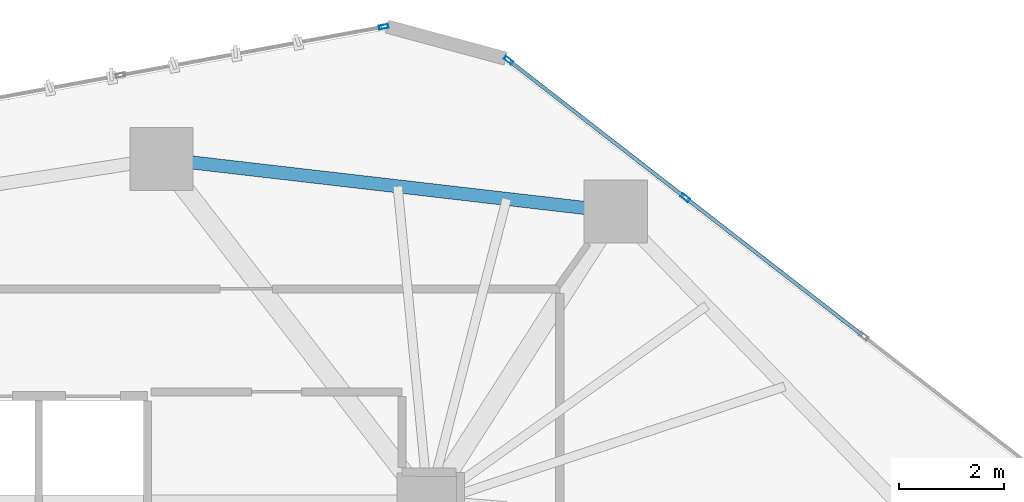
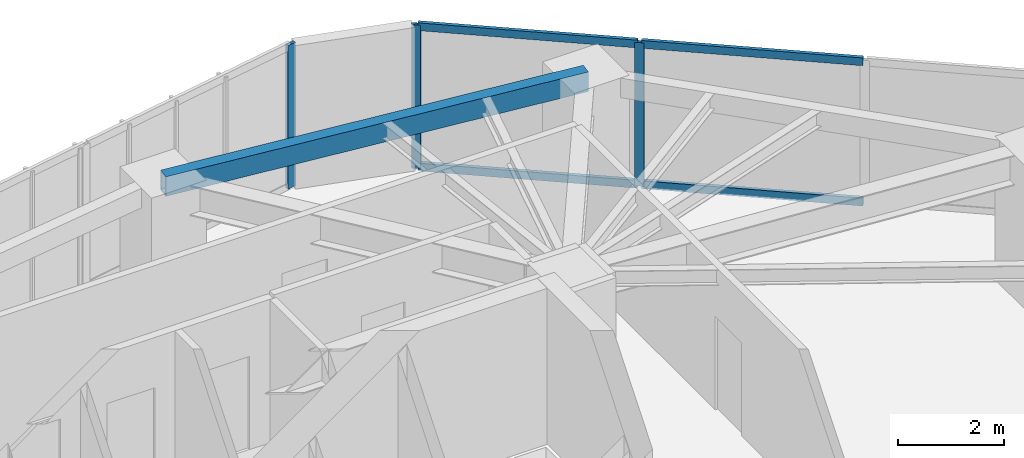
# One storey, part 15 of 22: 7 members, 1 beam, 2 elements without a shape of their own.
"""IFC4 building model written with IfcOpenShell, lengths in metres."""

import ifcopenshell
import ifcopenshell.guid

model = None  # the IFC model being written
_history = None  # IfcOwnerHistory: only IFC2X3 demands one
_inside = {}  # id of a spatial element -> (the spatial element, [elements in it])
_under = {}  # id of a project, library or spatial element -> (it, [spatial elements below it])
_declared = {}  # id of a project -> (the project, [libraries it declares])
_typed = {}  # id of a type object -> (the type object, [elements of that type])
_made_of = {}  # id of a material, layer set ... -> (it, [elements and type objects made of it])


def new_model(schema):
    """Start an empty IFC model of exactly this schema.

    Asked for "IFC4X3", IfcOpenShell would pick the latest addendum, in which some entities
    have other attributes; the version numbers below select the first issue.
    IFC2X3 requires an IfcOwnerHistory on every rooted entity: one is made here for all.
    """
    global model, _history
    if schema == "IFC4X3":
        model = ifcopenshell.file(schema_version=(4, 3, 0, 0))
    else:
        model = ifcopenshell.file(schema=schema)
    _inside.clear()
    _under.clear()
    _declared.clear()
    _typed.clear()
    _made_of.clear()
    _history = None
    if model.schema == "IFC2X3":
        org = make("IfcOrganization", Name="unknown")
        user = make(
            "IfcPersonAndOrganization",
            ThePerson=make("IfcPerson", FamilyName="unknown"),
            TheOrganization=org,
        )
        app = make(
            "IfcApplication",
            ApplicationDeveloper=org,
            Version="unknown",
            ApplicationFullName="unknown",
            ApplicationIdentifier="unknown",
        )
        _history = make(
            "IfcOwnerHistory",
            OwningUser=user,
            OwningApplication=app,
            ChangeAction="ADDED",
            CreationDate=0,
        )
    return model


def make(cls, **values):
    """One entity of the class cls with the attributes given. An attribute that is None is left unset."""
    return model.create_entity(
        cls, **{name: value for name, value in values.items() if value is not None}
    )


def rooted(cls, **values):
    """An entity with a GlobalId (a new one), such as an element, a storey or a relation."""
    return make(cls, GlobalId=ifcopenshell.guid.new(), OwnerHistory=_history, **values)


def si_unit(unit_type, name, prefix=None):
    """IfcSIUnit, for example si_unit("LENGTHUNIT", "METRE", prefix="MILLI")."""
    return make("IfcSIUnit", UnitType=unit_type, Prefix=prefix, Name=name)


def assignment(units):
    """IfcUnitAssignment: the units of a project."""
    return None if units is None else make("IfcUnitAssignment", Units=units)


def point(xyz):
    """IfcCartesianPoint."""
    return None if xyz is None else make("IfcCartesianPoint", Coordinates=xyz)


def direction(xyz):
    """IfcDirection."""
    return None if xyz is None else make("IfcDirection", DirectionRatios=xyz)


def frame(location, z_axis=None, x_axis=None):
    """IfcAxis2Placement3D, a coordinate frame: its origin and axes. An axis left out is left unset."""
    return make(
        "IfcAxis2Placement3D",
        Location=point(location),
        Axis=direction(z_axis),
        RefDirection=direction(x_axis),
    )


def frame_2d(location, x_axis=None):
    """IfcAxis2Placement2D, a coordinate frame in the plane: its origin and x axis."""
    return make(
        "IfcAxis2Placement2D", Location=point(location), RefDirection=direction(x_axis)
    )


def origin():
    """The frame at (0, 0, 0) with its axes left unset."""
    return frame((0.0, 0.0, 0.0))


def origin_2d():
    """The frame at (0, 0) in the plane with its x axis left unset."""
    return frame_2d((0.0, 0.0))


def place(relative_to, where):
    """IfcLocalPlacement: puts the frame where relative to a parent placement (None: the world)."""
    return make(
        "IfcLocalPlacement", PlacementRelTo=relative_to, RelativePlacement=where
    )


def context(
    kind, dimensions, precision=None, world=None, true_north=None, identifier=None
):
    """IfcGeometricRepresentationContext, for example the 3D "Model" context."""
    return make(
        "IfcGeometricRepresentationContext",
        ContextIdentifier=identifier,
        ContextType=kind,
        CoordinateSpaceDimension=dimensions,
        Precision=precision,
        WorldCoordinateSystem=world,
        TrueNorth=true_north,
    )


def subcontext(parent, identifier, kind, view, scale=None):
    """IfcGeometricRepresentationSubContext, for example "Body" below "Model"."""
    return make(
        "IfcGeometricRepresentationSubContext",
        ContextIdentifier=identifier,
        ContextType=kind,
        ParentContext=parent,
        TargetScale=scale,
        TargetView=view,
    )


def project(units=None, contexts=None):
    """IfcProject with its units and contexts."""
    return rooted(
        "IfcProject",
        Name="project",
        RepresentationContexts=contexts,
        UnitsInContext=assignment(units),
    )


def spatial(cls, under=None, at=None, **own):
    """A site, building, storey or space (cls), placed at a placement, below another one or the project."""
    s = rooted(cls, ObjectPlacement=at, **own)
    if under is not None:
        _under.setdefault(under.id(), (under, []))[1].append(s)
    return s


def profile(cls, at=None, kind="AREA", **sizes):
    """A parametric profile (cls). Its sizes go by their IFC names, for example OverallWidth=200.0."""
    return make(cls, ProfileType=kind, Position=at, **sizes)


def hollow_rectangle(**sizes):
    """IfcRectangleHollowProfileDef."""
    return profile("IfcRectangleHollowProfileDef", **sizes)


def extrude(swept, where, along, depth):
    """IfcExtrudedAreaSolid: the profile swept, set in the frame where, extruded along a direction by depth."""
    return make(
        "IfcExtrudedAreaSolid",
        SweptArea=swept,
        Position=where,
        ExtrudedDirection=direction(along),
        Depth=depth,
    )


def shape(context_of_items, identifier, shape_type, items):
    """IfcShapeRepresentation: the items that make up one representation, for example the "Body"."""
    return make(
        "IfcShapeRepresentation",
        ContextOfItems=context_of_items,
        RepresentationIdentifier=identifier,
        RepresentationType=shape_type,
        Items=items,
    )


def source(mapping_origin, context_of_items, identifier, shape_type, items):
    """IfcRepresentationMap: a shape defined once, which mapped items show again and again."""
    return make(
        "IfcRepresentationMap",
        MappingOrigin=mapping_origin,
        MappedRepresentation=shape(context_of_items, identifier, shape_type, items),
    )


def transform(
    local_origin,
    x_axis=None,
    y_axis=None,
    z_axis=None,
    scale=None,
    scale2=None,
    scale3=None,
    uniform=True,
):
    """IfcCartesianTransformationOperator3D, or its non-uniform kind. x_axis, y_axis, z_axis: its Axis1, 2, 3."""
    if uniform:
        return make(
            "IfcCartesianTransformationOperator3D",
            Axis1=direction(x_axis),
            Axis2=direction(y_axis),
            LocalOrigin=point(local_origin),
            Scale=scale,
            Axis3=direction(z_axis),
        )
    return make(
        "IfcCartesianTransformationOperator3DnonUniform",
        Axis1=direction(x_axis),
        Axis2=direction(y_axis),
        LocalOrigin=point(local_origin),
        Scale=scale,
        Axis3=direction(z_axis),
        Scale2=scale2,
        Scale3=scale3,
    )


def mapped(mapping_source, mapping_target):
    """IfcMappedItem: shows the shape of a source again, moved by a transform."""
    return make(
        "IfcMappedItem", MappingSource=mapping_source, MappingTarget=mapping_target
    )


def material(Name=None, Category=None):
    """IfcMaterial."""
    return make("IfcMaterial", Name=Name, Category=Category)


def layer(
    of_material, thickness, ventilated=None, Name=None, Category=None, Priority=None
):
    """IfcMaterialLayer: one layer of a wall or slab, of a material (None: an air gap)."""
    return make(
        "IfcMaterialLayer",
        Material=of_material,
        LayerThickness=thickness,
        IsVentilated=ventilated,
        Name=Name,
        Category=Category,
        Priority=Priority,
    )


def layer_set(layers, Name=None):
    """IfcMaterialLayerSet."""
    return make("IfcMaterialLayerSet", MaterialLayers=layers, LayerSetName=Name)


def material_profile(
    of_material, cross_section, Name=None, Category=None, Priority=None
):
    """IfcMaterialProfile: a cross section and its material."""
    return make(
        "IfcMaterialProfile",
        Name=Name,
        Material=of_material,
        Profile=cross_section,
        Priority=Priority,
        Category=Category,
    )


def profile_set(profiles, Name=None, composite=None):
    """IfcMaterialProfileSet."""
    return make(
        "IfcMaterialProfileSet",
        Name=Name,
        MaterialProfiles=profiles,
        CompositeProfile=composite,
    )


def made_of(thing, what):
    """Note that an element or type object is made of a material, layer set ...; save() writes the relation."""
    if what is not None:
        _made_of.setdefault(what.id(), (what, []))[1].append(thing)
    return thing


def type_object(cls, material=None, **own):
    """A type object (cls), such as IfcWallType, which elements share."""
    return made_of(rooted(cls, **own), material)


def type_shapes(of_type, sources):
    """Give a type object the sources (RepresentationMaps) that its elements show as mapped items."""
    of_type.RepresentationMaps = sources


def element(
    cls,
    number,
    at=None,
    inside=None,
    cuts=None,
    type_object=None,
    material=None,
    context=None,
    identifier="Body",
    shape_type=None,
    held_by="IfcProductDefinitionShape",
    body=None,
    shapes=None,
    **own,
):
    """One element of the class cls, such as IfcWall. Its Tag is "e" and its number.

    at: its placement. inside: the storey or other place that contains it. cuts: it is an
    opening in that element (IfcRelVoidsElement). A single representation is given by context,
    identifier, shape_type and body (its items); several are given by shapes. held_by: the class
    of the entity that holds the representations. save() writes the other relations.
    """
    e = rooted(cls, Tag="e%d" % number, ObjectPlacement=at, **own)
    if body is not None:
        shapes = [shape(context, identifier, shape_type, body)]
    if shapes is not None:
        e.Representation = make(held_by, Representations=shapes)
    if inside is not None:
        _inside.setdefault(inside.id(), (inside, []))[1].append(e)
    if cuts is not None:
        rooted(
            "IfcRelVoidsElement", RelatingBuildingElement=cuts, RelatedOpeningElement=e
        )
    if type_object is not None:
        _typed.setdefault(type_object.id(), (type_object, []))[1].append(e)
    return made_of(e, material)


def aggregate(whole, parts):
    """IfcRelAggregates: a whole, such as a stair, and the parts it consists of."""
    return rooted("IfcRelAggregates", RelatingObject=whole, RelatedObjects=parts)


def save(model, path):
    """Write the relations noted so far, then the file.

    IfcRelAggregates (storeys below a building ...), IfcRelContainedInSpatialStructure (elements
    in a storey), IfcRelDefinesByType, IfcRelAssociatesMaterial and IfcRelDeclares: one each for
    every whole, place, type object, material and project.
    """
    for whole, parts in _under.values():
        aggregate(whole, parts)
    for where, things in _inside.values():
        rooted(
            "IfcRelContainedInSpatialStructure",
            RelatedElements=things,
            RelatingStructure=where,
        )
    for kind, things in _typed.values():
        rooted("IfcRelDefinesByType", RelatedObjects=things, RelatingType=kind)
    for what, things in _made_of.values():
        rooted("IfcRelAssociatesMaterial", RelatedObjects=things, RelatingMaterial=what)
    for by, libraries in _declared.values():
        rooted("IfcRelDeclares", RelatingContext=by, RelatedDefinitions=libraries)
    model.write(path)


model = new_model("IFC4")

# Units and contexts
model_context = context("Model", 3, precision=1e-05, world=origin(), true_north=direction((0.0, 1.0)))
body_context = subcontext(model_context, "Body", "Model", "MODEL_VIEW")
ifc_project = project(units=[si_unit("LENGTHUNIT", "METRE"), si_unit("AREAUNIT", "SQUARE_METRE"), si_unit("VOLUMEUNIT", "CUBIC_METRE"), si_unit("PLANEANGLEUNIT", "RADIAN"), si_unit("MASSUNIT", "GRAM", prefix="KILO")], contexts=[model_context])

# Site, building, storey
site_placement = place(None, origin())
site = spatial("IfcSite", under=ifc_project, at=site_placement, CompositionType="ELEMENT")
building_placement = place(site_placement, origin())
building = spatial("IfcBuilding", under=site, at=building_placement, Name="Talar Marvaseh", CompositionType="ELEMENT")
storey_placement = place(building_placement, frame((0.0, 0.0, 121.800048828125)))
storey = spatial("IfcBuildingStorey", under=building, at=storey_placement, Name="L31", CompositionType="ELEMENT", Elevation=121.800048828125)

# Beam
ifc_material_1 = material(Name="Steel S355", Category="steel")
ifc_material_profile_1 = material_profile(ifc_material_1, hollow_rectangle(XDim=0.25, YDim=0.449951171875, WallThickness=0.01611328125, at=origin_2d()), Name="RHS450x250x16")
ifc_profile_set_1 = profile_set([ifc_material_profile_1], Name="Steel S355")
beam_type = type_object("IfcBeamType", Name="Zone 2 Perimeter Spandrel Beam RHS450x250x16", PredefinedType="SPANDREL", material=ifc_profile_set_1)
beam_placement = place(storey_placement, frame((28.221923828125, 43.471923828125, 3.0849609375), z_axis=(0.993361914569, -0.115030894474, 0.0), x_axis=(0.115030894474, 0.993361914569, 0.0)))
element("IfcBeam", 1, at=beam_placement, inside=storey, type_object=beam_type, Name="L31 Zone 2 Perimeter Spandrel Beam RHS450x250x16", PredefinedType="SPANDREL", context=body_context, shape_type="SweptSolid", body=[
    extrude(hollow_rectangle(XDim=0.25, YDim=0.449951171875, WallThickness=0.01611328125, at=origin_2d()), origin(), (0.0, 0.0, 1.0), 8.701904296875),
])

# Curtain wall, member
ifc_material_2 = material(Name="Architectural Aluminium", Category="aluminium")
ifc_layer = layer(ifc_material_2, 0.199951171875)
ifc_layer_set = layer_set([ifc_layer], Name="Architectural Aluminium")
curtain_wall_type = type_object("IfcCurtainWallType", Name="Unitised Acoustic Library Curtain Wall Z2", PredefinedType="NOTDEFINED", material=ifc_layer_set)
curtain_wall_1_placement = place(storey_placement, origin())
curtain_wall_1 = element("IfcCurtainWall", 2, at=curtain_wall_1_placement, inside=storey, type_object=curtain_wall_type, Name="L31 Unitised Acoustic Library Curtain Wall Z2", PredefinedType="NOTDEFINED")
ifc_material_profile_2 = material_profile(ifc_material_2, hollow_rectangle(XDim=0.074951171875, YDim=0.179931640625, WallThickness=0.0048828125, at=origin_2d()), Name="RHS180x75x5")
ifc_profile_set_2 = profile_set([ifc_material_profile_2], Name="Architectural Aluminium")
member_type_1 = type_object("IfcMemberType", Name="Unitised Curtain Wall Standard Mullion RHS180x75x5", PredefinedType="MULLION", material=ifc_profile_set_2)
shared_shape_1 = source(origin(), body_context, "Body", "SweptSolid", [
    extrude(hollow_rectangle(XDim=0.074951171875, YDim=0.179931640625, WallThickness=0.0048828125, at=origin_2d()), origin(), (0.0, 0.0, 1.0), 3.31005859375),
])
type_shapes(member_type_1, [shared_shape_1])
member_1_placement = place(storey_placement, frame((32.45068359375, 45.98583984375, 0.0), z_axis=(0.0, 0.0, 1.0), x_axis=(-0.181070973681, 0.983470031313, 0.0)))
member_1 = element("IfcMember", 3, at=member_1_placement, type_object=member_type_1, Name="CW-Z2 mullion 4", PredefinedType="MULLION", context=body_context, shape_type="MappedRepresentation", body=[
    mapped(shared_shape_1, transform((0.0, 0.0, 0.0), x_axis=(1.0, 0.0, 0.0), y_axis=(0.0, 1.0, 0.0), z_axis=(0.0, 0.0, 1.0), scale=1.0)),
])
aggregate(curtain_wall_1, [member_1])

# Curtain wall, members
curtain_wall_2_placement = place(storey_placement, origin())
curtain_wall_2 = element("IfcCurtainWall", 4, at=curtain_wall_2_placement, inside=storey, type_object=curtain_wall_type, Name="L31 Unitised Acoustic Library Curtain Wall Z2", PredefinedType="NOTDEFINED")
member_2_placement = place(storey_placement, frame((34.82470703125, 45.34716796875, 0.0), z_axis=(0.0, 0.0, 1.0), x_axis=(0.613544680537, 0.789660005943, 0.0)))
member_2 = element("IfcMember", 5, at=member_2_placement, type_object=member_type_1, Name="CW-Z2 mullion 1", PredefinedType="MULLION", context=body_context, shape_type="MappedRepresentation", body=[
    mapped(shared_shape_1, transform((0.0, 0.0, 0.0), x_axis=(1.0, 0.0, 0.0), y_axis=(0.0, 1.0, 0.0), z_axis=(0.0, 0.0, 1.0), scale=1.0)),
])
member_3_placement = place(storey_placement, frame((38.18896484375, 42.733154296875, 0.0), z_axis=(0.0, 0.0, 1.0), x_axis=(0.613544680537, 0.789660005943, 0.0)))
member_3 = element("IfcMember", 6, at=member_3_placement, type_object=member_type_1, Name="CW-Z2 mullion 2", PredefinedType="MULLION", context=body_context, shape_type="MappedRepresentation", body=[
    mapped(shared_shape_1, transform((0.0, 0.0, 0.0), x_axis=(1.0, 0.0, 0.0), y_axis=(0.0, 1.0, 0.0), z_axis=(0.0, 0.0, 1.0), scale=1.0)),
])
ifc_material_profile_3 = material_profile(ifc_material_2, hollow_rectangle(XDim=0.074951171875, YDim=0.179931640625, WallThickness=0.0048828125, at=origin_2d()), Name="RHS180x75x5")
ifc_profile_set_3 = profile_set([ifc_material_profile_3], Name="Architectural Aluminium")
member_type_2 = type_object("IfcMemberType", Name="Unitised Curtain Wall Transom RHS180x75x5", PredefinedType="USERDEFINED", material=ifc_profile_set_3)
shared_shape_2 = source(origin(), body_context, "Body", "SweptSolid", [
    extrude(hollow_rectangle(XDim=0.074951171875, YDim=0.179931640625, WallThickness=0.0048828125, at=origin_2d()), origin(), (0.0, 0.0, 1.0), 4.185302734375),
])
member_4_placement = place(storey_placement, frame((34.854248046875, 45.32421875, 0.037353515625), z_axis=(0.78965679907, -0.613548807906, 0.0), x_axis=(0.613548807906, 0.78965679907, 0.0)))
member_4 = element("IfcMember", 7, at=member_4_placement, type_object=member_type_2, Name="CW-Z2 transom 1.1", ObjectType="TRANSOM", PredefinedType="USERDEFINED", context=body_context, shape_type="MappedRepresentation", body=[
    mapped(shared_shape_2, transform((0.0, 0.0, 0.0), x_axis=(1.0, 0.0, 0.0), y_axis=(0.0, 1.0, 0.0), z_axis=(0.0, 0.0, 1.0), scale=1.0)),
])
member_5_placement = place(storey_placement, frame((34.854248046875, 45.32421875, 3.2724609375), z_axis=(0.78965679907, -0.613548807906, 0.0), x_axis=(0.613548807906, 0.78965679907, 0.0)))
member_5 = element("IfcMember", 8, at=member_5_placement, type_object=member_type_2, Name="CW-Z2 transom 1.2", ObjectType="TRANSOM", PredefinedType="USERDEFINED", context=body_context, shape_type="MappedRepresentation", body=[
    mapped(shared_shape_2, transform((0.0, 0.0, 0.0), x_axis=(1.0, 0.0, 0.0), y_axis=(0.0, 1.0, 0.0), z_axis=(0.0, 0.0, 1.0), scale=1.0)),
])
shared_shape_3 = source(origin(), body_context, "Body", "SweptSolid", [
    extrude(hollow_rectangle(XDim=0.074951171875, YDim=0.179931640625, WallThickness=0.0048828125, at=origin_2d()), origin(), (0.0, 0.0, 1.0), 4.222900390625),
])
type_shapes(member_type_2, [shared_shape_2, shared_shape_3])
member_6_placement = place(storey_placement, frame((38.218505859375, 42.710205078125, 0.037353515625), z_axis=(0.789678975947, -0.613520264496, 0.0), x_axis=(0.613520264496, 0.789678975947, 0.0)))
member_6 = element("IfcMember", 9, at=member_6_placement, type_object=member_type_2, Name="CW-Z2 transom 2.1", ObjectType="TRANSOM", PredefinedType="USERDEFINED", context=body_context, shape_type="MappedRepresentation", body=[
    mapped(shared_shape_3, transform((0.0, 0.0, 0.0), x_axis=(1.0, 0.0, 0.0), y_axis=(0.0, 1.0, 0.0), z_axis=(0.0, 0.0, 1.0), scale=1.0)),
])
member_7_placement = place(storey_placement, frame((38.218505859375, 42.710205078125, 3.2724609375), z_axis=(0.789678975947, -0.613520264496, 0.0), x_axis=(0.613520264496, 0.789678975947, 0.0)))
member_7 = element("IfcMember", 10, at=member_7_placement, type_object=member_type_2, Name="CW-Z2 transom 2.2", ObjectType="TRANSOM", PredefinedType="USERDEFINED", context=body_context, shape_type="MappedRepresentation", body=[
    mapped(shared_shape_3, transform((0.0, 0.0, 0.0), x_axis=(1.0, 0.0, 0.0), y_axis=(0.0, 1.0, 0.0), z_axis=(0.0, 0.0, 1.0), scale=1.0)),
])
aggregate(curtain_wall_2, [member_2, member_3, member_4, member_5, member_6, member_7])

save(model, "model.ifc")
